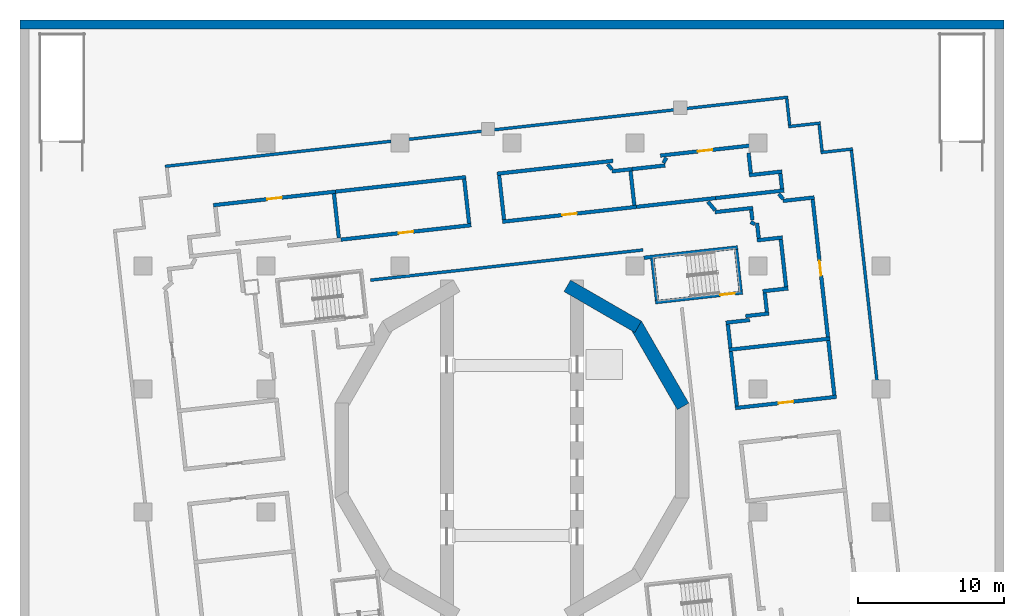
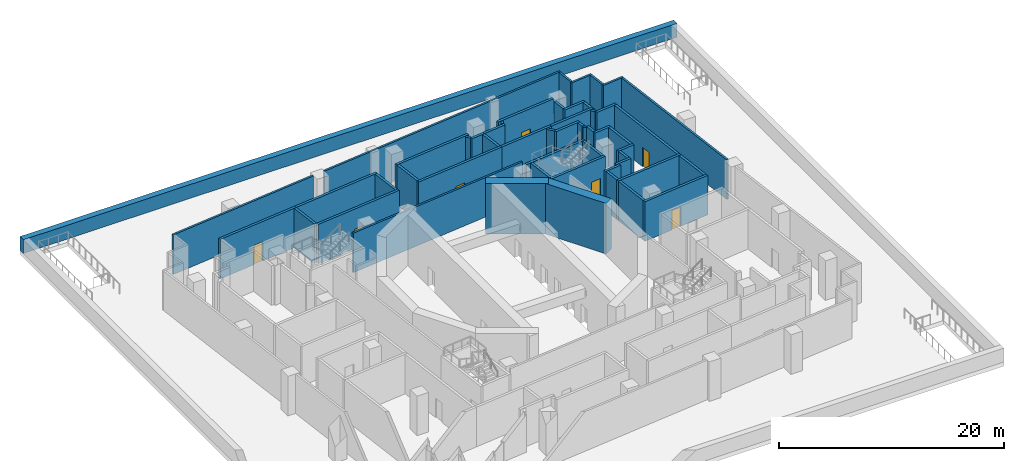
# One storey, part 4 of 12: 53 walls, 7 doors, 7 openings.
"""IFC4 building model written with IfcOpenShell, lengths in metres."""

from ifc_helpers import new_model, si_unit, direction, frame, frame_2d, origin, place, context, subcontext, project, spatial, rectangle, extrude, material, layer, layer_set, type_object, element, fill, save


model = new_model("IFC4")

# Units and contexts
model_context = context("Model", 3, precision=1e-05, world=origin(), true_north=direction((0.0, 1.0)))
body_context = subcontext(model_context, "Body", "Model", "MODEL_VIEW")
ifc_project = project(units=[si_unit("LENGTHUNIT", "METRE"), si_unit("AREAUNIT", "SQUARE_METRE"), si_unit("VOLUMEUNIT", "CUBIC_METRE"), si_unit("PLANEANGLEUNIT", "RADIAN"), si_unit("MASSUNIT", "GRAM", prefix="KILO")], contexts=[model_context])

# Site, building, storey
site_placement = place(None, origin())
site = spatial("IfcSite", under=ifc_project, at=site_placement, CompositionType="ELEMENT")
building_placement = place(site_placement, origin())
building = spatial("IfcBuilding", under=site, at=building_placement, Name="Cantera Rosa Tower", CompositionType="ELEMENT")
storey_placement = place(building_placement, frame((0.0, 0.0, 37.0)))
storey = spatial("IfcBuildingStorey", under=building, at=storey_placement, Name="L06", CompositionType="ELEMENT", Elevation=37.0)

# Walls
ifc_material_1 = material(Name="Masonry blockwork", Category="masonry")
ifc_layer_1 = layer(ifc_material_1, 0.199951171875)
ifc_layer_set_1 = layer_set([ifc_layer_1], Name="Blockwork partition 200")
wall_type_1 = type_object("IfcWallType", Name="Blockwork partition 200", PredefinedType="PARTITIONING", material=ifc_layer_set_1)
wall_1_placement = place(storey_placement, frame((-9.66552734375, 11.631103515625, 0.0), z_axis=(0.0, 0.0, 1.0), x_axis=(0.993896292658, 0.110318445605, 0.0)))
element("IfcWall", 1, at=wall_1_placement, inside=storey, type_object=wall_type_1, Name="Partition L06-7", PredefinedType="PARTITIONING", context=body_context, shape_type="SweptSolid", body=[
    extrude(rectangle(XDim=18.72021484375, YDim=0.199951171875, at=frame_2d((9.360107421875, 0.0))), origin(), (0.0, 0.0, 1.0), 4.300048828125),
])
wall_2_placement = place(storey_placement, frame((-23.685302734375, 19.40576171875, 0.0), z_axis=(0.0, 0.0, 1.0), x_axis=(0.993897928533, 0.110303706454, 0.0)))
element("IfcWall", 2, at=wall_2_placement, inside=storey, type_object=wall_type_1, Name="Partition L06-112", PredefinedType="PARTITIONING", context=body_context, shape_type="SweptSolid", body=[
    extrude(rectangle(XDim=15.513427734375, YDim=0.199951171875, at=frame_2d((7.7568359375, 0.0))), origin(), (0.0, 0.0, 1.0), 4.300048828125),
])
wall_3_placement = place(storey_placement, frame((-7.073974609375, 21.249267578125, 0.0), z_axis=(0.0, 0.0, 1.0), x_axis=(0.993896966833, 0.110312371567, 0.0)))
element("IfcWall", 3, at=wall_3_placement, inside=storey, type_object=wall_type_1, Name="Partition L06-113", PredefinedType="PARTITIONING", context=body_context, shape_type="SweptSolid", body=[
    extrude(rectangle(XDim=26.086669921875, YDim=0.199951171875, at=frame_2d((13.04345703125, 0.0))), origin(), (0.0, 0.0, 1.0), 4.300048828125),
])
wall_4_placement = place(storey_placement, frame((18.9638671875, 22.2275390625, 0.0), z_axis=(0.0, 0.0, 1.0), x_axis=(-0.110401753874, 0.993887042245, 0.0)))
element("IfcWall", 4, at=wall_4_placement, inside=storey, type_object=wall_type_1, Name="Partition L06-115", PredefinedType="PARTITIONING", context=body_context, shape_type="SweptSolid", body=[
    extrude(rectangle(XDim=1.800048828125, YDim=0.199951171875, at=frame_2d((0.89990234375, 0.0))), origin(), (0.0, 0.0, 1.0), 4.300048828125),
])
wall_5_placement = place(storey_placement, frame((18.87548828125, 22.1171875, 0.0), z_axis=(0.0, 0.0, 1.0), x_axis=(0.993897260817, 0.110309722784, 0.0)))
element("IfcWall", 5, at=wall_5_placement, inside=storey, type_object=wall_type_1, Name="Partition L06-117", PredefinedType="PARTITIONING", context=body_context, shape_type="SweptSolid", body=[
    extrude(rectangle(XDim=2.199951171875, YDim=0.199951171875, at=frame_2d((1.10009765625, 0.0))), origin(), (0.0, 0.0, 1.0), 4.300048828125),
])
wall_6_placement = place(storey_placement, frame((21.172119140625, 20.46044921875, 0.0), z_axis=(0.0, 0.0, 1.0), x_axis=(-0.110267775292, 0.993901915549, 0.0)))
element("IfcWall", 6, at=wall_6_placement, inside=storey, type_object=wall_type_1, Name="Partition L06-119", PredefinedType="PARTITIONING", context=body_context, shape_type="SweptSolid", body=[
    extrude(rectangle(XDim=1.800048828125, YDim=0.199951171875, at=frame_2d((0.89990234375, 0.0))), origin(), (0.0, 0.0, 1.0), 4.300048828125),
])
wall_7_placement = place(storey_placement, frame((21.083740234375, 20.35009765625, 0.0), z_axis=(0.0, 0.0, 1.0), x_axis=(0.99389861097, 0.11029755714, 0.0)))
element("IfcWall", 7, at=wall_7_placement, inside=storey, type_object=wall_type_1, Name="Partition L06-121", PredefinedType="PARTITIONING", context=body_context, shape_type="SweptSolid", body=[
    extrude(rectangle(XDim=2.2001953125, YDim=0.199951171875, at=frame_2d((1.10009765625, 0.0))), origin(), (0.0, 0.0, 1.0), 4.300048828125),
])
wall_8_placement = place(storey_placement, frame((24.925537109375, 4.773193359375, 0.0), z_axis=(0.0, 0.0, 1.0), x_axis=(-0.110317938061, 0.993896348993, 0.0)))
element("IfcWall", 8, at=wall_8_placement, inside=storey, type_object=wall_type_1, Name="Partition L06-123", PredefinedType="PARTITIONING", context=body_context, shape_type="SweptSolid", body=[
    extrude(rectangle(XDim=15.8056640625, YDim=0.199951171875, at=frame_2d((7.90283203125, 0.0))), origin(), (0.0, 0.0, 1.0), 4.300048828125),
])

# Wall, opening, door
ifc_material_2 = material(Name="Masonry blockwork", Category="masonry")
ifc_layer_2 = layer(ifc_material_2, 0.25)
ifc_layer_set_2 = layer_set([ifc_layer_2], Name="Fire-rated wall 250")
wall_type_2 = type_object("IfcWallType", Name="Fire-rated wall 250", PredefinedType="PARTITIONING", material=ifc_layer_set_2)
wall_9_placement = place(storey_placement, frame((-11.684814453125, 14.39892578125, 0.0), z_axis=(0.0, 0.0, 1.0), x_axis=(0.993897033744, 0.110311768703, 0.0)))
wall_9 = element("IfcWall", 9, at=wall_9_placement, inside=storey, type_object=wall_type_2, Name="Fire wall L06-13", PredefinedType="PARTITIONING", context=body_context, shape_type="SweptSolid", body=[
    extrude(rectangle(XDim=8.9501953125, YDim=0.25, at=frame_2d((4.47509765625, 0.0))), origin(), (0.0, 0.0, 1.0), 4.300048828125),
])
opening_1_placement = place(wall_9_placement, frame((3.97509765625, 0.0, 0.0)))
opening_1 = element("IfcOpeningElement", 10, at=opening_1_placement, cuts=wall_9, Name="Opening L06-002", PredefinedType="OPENING", context=body_context, shape_type="SweptSolid", body=[
    extrude(rectangle(XDim=1.0, YDim=2.10009765625, at=frame_2d((0.5, 1.050048828125))), frame((0.0, 0.135009765625, 0.0), z_axis=(0.0, -1.0, 0.0), x_axis=(1.0, 0.0, 0.0)), (0.0, 0.0, 1.0), 0.27001953125),
])
ifc_material_3 = material(Name="Steel S355J2 (EN 10025-2)", Category="steel")
door_type_1 = type_object("IfcDoorType", Name="Fire door 1000x2100", OperationType="NOTDEFINED", PredefinedType="DOOR", material=ifc_material_3)
door_1_placement = place(opening_1_placement, origin())
door_1 = element("IfcDoor", 11, at=door_1_placement, inside=storey, type_object=door_type_1, Name="Door L06-002", OverallHeight=2.10009765625, OverallWidth=1.0, PredefinedType="DOOR", context=body_context, shape_type="SweptSolid", body=[
    extrude(rectangle(XDim=1.0, YDim=2.10009765625, at=frame_2d((0.5, 1.050048828125))), frame((0.0, 0.02490234375, 0.0), z_axis=(0.0, -1.0, 0.0), x_axis=(1.0, 0.0, 0.0)), (0.0, 0.0, 1.0), 0.050048828125),
])
fill(opening_1, door_1)

wall_10_placement = place(storey_placement, frame((-0.65234375, 15.623291015625, 0.0), z_axis=(0.0, 0.0, 1.0), x_axis=(0.993896672807, 0.110315020662, 0.0)))
wall_10 = element("IfcWall", 12, at=wall_10_placement, inside=storey, type_object=wall_type_2, Name="Fire wall L06-14", PredefinedType="PARTITIONING", context=body_context, shape_type="SweptSolid", body=[
    extrude(rectangle(XDim=9.199951171875, YDim=0.25, at=frame_2d((4.60009765625, 0.0))), origin(), (0.0, 0.0, 1.0), 4.300048828125),
])
opening_2_placement = place(wall_10_placement, frame((4.10009765625, 0.0, 0.0)))
opening_2 = element("IfcOpeningElement", 13, at=opening_2_placement, cuts=wall_10, Name="Opening L06-003", PredefinedType="OPENING", context=body_context, shape_type="SweptSolid", body=[
    extrude(rectangle(XDim=1.0, YDim=2.10009765625, at=frame_2d((0.5, 1.050048828125))), frame((0.0, 0.135009765625, 0.0), z_axis=(0.0, -1.0, 0.0), x_axis=(1.0, 0.0, 0.0)), (0.0, 0.0, 1.0), 0.27001953125),
])
door_2_placement = place(opening_2_placement, origin())
door_2 = element("IfcDoor", 14, at=door_2_placement, inside=storey, type_object=door_type_1, Name="Door L06-003", OverallHeight=2.10009765625, OverallWidth=1.0, PredefinedType="DOOR", context=body_context, shape_type="SweptSolid", body=[
    extrude(rectangle(XDim=1.0, YDim=2.10009765625, at=frame_2d((0.5, 1.050048828125))), frame((0.0, 0.02490234375, 0.0), z_axis=(0.0, -1.0, 0.0), x_axis=(1.0, 0.0, 0.0)), (0.0, 0.0, 1.0), 0.050048828125),
])
fill(opening_2, door_2)

# Walls
wall_11_placement = place(storey_placement, frame((8.491455078125, 16.63818359375, 0.0), z_axis=(0.0, 0.0, 1.0), x_axis=(0.993894655727, 0.110333192277, 0.0)))
element("IfcWall", 15, at=wall_11_placement, inside=storey, type_object=wall_type_2, Name="Fire wall L06-15", PredefinedType="PARTITIONING", context=body_context, shape_type="SweptSolid", body=[
    extrude(rectangle(XDim=5.449951171875, YDim=0.25, at=frame_2d((2.72509765625, 0.0))), origin(), (0.0, 0.0, 1.0), 4.300048828125),
])
wall_12_placement = place(storey_placement, frame((13.908203125, 17.239501953125, 0.0), z_axis=(0.0, 0.0, 1.0), x_axis=(0.99390082634, 0.11027759247, 0.0)))
element("IfcWall", 16, at=wall_12_placement, inside=storey, type_object=wall_type_2, Name="Fire wall L06-16", PredefinedType="PARTITIONING", context=body_context, shape_type="SweptSolid", body=[
    extrude(rectangle(XDim=4.699951171875, YDim=0.25, at=frame_2d((2.35009765625, 0.0))), origin(), (0.0, 0.0, 1.0), 4.300048828125),
])
wall_13_placement = place(storey_placement, frame((16.19970703125, 18.8017578125, 0.0), z_axis=(0.0, 0.0, 1.0), x_axis=(0.99389299368, 0.110348163163, 0.0)))
element("IfcWall", 17, at=wall_13_placement, inside=storey, type_object=wall_type_2, Name="Fire wall L06-22", PredefinedType="PARTITIONING", context=body_context, shape_type="SweptSolid", body=[
    extrude(rectangle(XDim=2.25, YDim=0.25, at=frame_2d((1.125, 0.0))), origin(), (0.0, 0.0, 1.0), 4.300048828125),
])

# Wall, opening, door
wall_14_placement = place(storey_placement, frame((-20.3974609375, 16.752197265625, 0.0), z_axis=(0.0, 0.0, 1.0), x_axis=(0.993898612038, 0.110297547524, 0.0)))
wall_14 = element("IfcWall", 18, at=wall_14_placement, inside=storey, type_object=wall_type_2, Name="Fire wall L06-25", PredefinedType="PARTITIONING", context=body_context, shape_type="SweptSolid", body=[
    extrude(rectangle(XDim=8.400146484375, YDim=0.25, at=frame_2d((4.2001953125, 0.0))), origin(), (0.0, 0.0, 1.0), 4.300048828125),
])
opening_3_placement = place(wall_14_placement, frame((3.699951171875, 0.0, 0.0)))
opening_3 = element("IfcOpeningElement", 19, at=opening_3_placement, cuts=wall_14, Name="Opening L06-001", PredefinedType="OPENING", context=body_context, shape_type="SweptSolid", body=[
    extrude(rectangle(XDim=1.0, YDim=2.10009765625, at=frame_2d((0.5, 1.050048828125))), frame((0.0, 0.135009765625, 0.0), z_axis=(0.0, -1.0, 0.0), x_axis=(1.0, 0.0, 0.0)), (0.0, 0.0, 1.0), 0.27001953125),
])
door_3_placement = place(opening_3_placement, origin())
door_3 = element("IfcDoor", 20, at=door_3_placement, inside=storey, type_object=door_type_1, Name="Door L06-001", OverallHeight=2.10009765625, OverallWidth=1.0, PredefinedType="DOOR", context=body_context, shape_type="SweptSolid", body=[
    extrude(rectangle(XDim=1.0, YDim=2.10009765625, at=frame_2d((0.5, 1.050048828125))), frame((0.0, 0.02490234375, 0.0), z_axis=(0.0, -1.0, 0.0), x_axis=(1.0, 0.0, 0.0)), (0.0, 0.0, 1.0), 0.050048828125),
])
fill(opening_3, door_3)

# Walls
wall_15_placement = place(storey_placement, frame((-12.048583984375, 17.6787109375, 0.0), z_axis=(0.0, 0.0, 1.0), x_axis=(0.993896701795, 0.110314759491, 0.0)))
element("IfcWall", 21, at=wall_15_placement, inside=storey, type_object=wall_type_2, Name="Fire wall L06-26", PredefinedType="PARTITIONING", context=body_context, shape_type="SweptSolid", body=[
    extrude(rectangle(XDim=8.949951171875, YDim=0.25, at=frame_2d((4.47509765625, 0.0))), origin(), (0.0, 0.0, 1.0), 4.300048828125),
])
wall_16_placement = place(storey_placement, frame((-1.0166015625, 18.9033203125, 0.0), z_axis=(0.0, 0.0, 1.0), x_axis=(0.993897183523, 0.110310419203, 0.0)))
element("IfcWall", 22, at=wall_16_placement, inside=storey, type_object=wall_type_2, Name="Fire wall L06-27", PredefinedType="PARTITIONING", context=body_context, shape_type="SweptSolid", body=[
    extrude(rectangle(XDim=7.96533203125, YDim=0.25, at=frame_2d((3.982666015625, 0.0))), origin(), (0.0, 0.0, 1.0), 4.300048828125),
])

# Wall, opening, door
wall_17_placement = place(storey_placement, frame((10.13037109375, 20.140380859375, 0.0), z_axis=(0.0, 0.0, 1.0), x_axis=(0.993896854756, 0.110313381352, 0.0)))
wall_17 = element("IfcWall", 23, at=wall_17_placement, inside=storey, type_object=wall_type_2, Name="Fire wall L06-28", PredefinedType="PARTITIONING", context=body_context, shape_type="SweptSolid", body=[
    extrude(rectangle(XDim=6.123779296875, YDim=0.25, at=frame_2d((3.06201171875, 0.0))), origin(), (0.0, 0.0, 1.0), 4.300048828125),
])
opening_4_placement = place(wall_17_placement, frame((2.56201171875, 0.0, 0.0)))
opening_4 = element("IfcOpeningElement", 24, at=opening_4_placement, cuts=wall_17, Name="Opening L06-004", PredefinedType="OPENING", context=body_context, shape_type="SweptSolid", body=[
    extrude(rectangle(XDim=1.0, YDim=2.10009765625, at=frame_2d((0.5, 1.050048828125))), frame((0.0, 0.135009765625, 0.0), z_axis=(0.0, -1.0, 0.0), x_axis=(1.0, 0.0, 0.0)), (0.0, 0.0, 1.0), 0.27001953125),
])
door_4_placement = place(opening_4_placement, origin())
door_4 = element("IfcDoor", 25, at=door_4_placement, inside=storey, type_object=door_type_1, Name="Door L06-004", OverallHeight=2.10009765625, OverallWidth=1.0, PredefinedType="DOOR", context=body_context, shape_type="SweptSolid", body=[
    extrude(rectangle(XDim=1.0, YDim=2.10009765625, at=frame_2d((0.5, 1.050048828125))), frame((0.0, 0.02490234375, 0.0), z_axis=(0.0, -1.0, 0.0), x_axis=(1.0, 0.0, 0.0)), (0.0, 0.0, 1.0), 0.050048828125),
])
fill(opening_4, door_4)

# Walls
wall_18_placement = place(storey_placement, frame((-11.82275390625, 14.509521484375, 0.0), z_axis=(0.0, 0.0, 1.0), x_axis=(-0.110308521992, 0.993897394089, 0.0)))
element("IfcWall", 26, at=wall_18_placement, inside=storey, type_object=wall_type_2, Name="Fire wall L06-30", PredefinedType="PARTITIONING", context=body_context, shape_type="SweptSolid", body=[
    extrude(rectangle(XDim=3.0498046875, YDim=0.25, at=frame_2d((1.52490234375, 0.0))), origin(), (0.0, 0.0, 1.0), 4.300048828125),
])
wall_19_placement = place(storey_placement, frame((-2.92724609375, 15.49658203125, 0.0), z_axis=(0.0, 0.0, 1.0), x_axis=(-0.110378814906, 0.993889590055, 0.0)))
element("IfcWall", 27, at=wall_19_placement, inside=storey, type_object=wall_type_2, Name="Fire wall L06-32", PredefinedType="PARTITIONING", context=body_context, shape_type="SweptSolid", body=[
    extrude(rectangle(XDim=3.050048828125, YDim=0.25, at=frame_2d((1.52490234375, 0.0))), origin(), (0.0, 0.0, 1.0), 4.300048828125),
])
wall_20_placement = place(storey_placement, frame((6.83984375, 19.19189453125, 0.0), z_axis=(0.0, 0.0, 1.0), x_axis=(-0.647179402506, 0.762337734192, 0.0)))
element("IfcWall", 28, at=wall_20_placement, inside=storey, type_object=wall_type_2, Name="Fire wall L06-33", PredefinedType="PARTITIONING", context=body_context, shape_type="SweptSolid", body=[
    extrude(rectangle(XDim=0.468505859375, YDim=0.25, at=frame_2d((0.234375, 0.0))), origin(), (0.0, 0.0, 1.0), 4.300048828125),
])
wall_21_placement = place(storey_placement, frame((6.828857421875, 19.06494140625, 0.0), z_axis=(0.0, 0.0, 1.0), x_axis=(0.993909510306, 0.110199298198, 0.0)))
element("IfcWall", 29, at=wall_21_placement, inside=storey, type_object=wall_type_2, Name="Fire wall L06-34", PredefinedType="PARTITIONING", context=body_context, shape_type="SweptSolid", body=[
    extrude(rectangle(XDim=1.384765625, YDim=0.25, at=frame_2d((0.6923828125, 0.0))), origin(), (0.0, 0.0, 1.0), 4.300048828125),
])
wall_22_placement = place(storey_placement, frame((8.205078125, 19.217529296875, 0.0), z_axis=(0.0, 0.0, 1.0), x_axis=(0.99389161804, 0.110360552686, 0.0)))
element("IfcWall", 30, at=wall_22_placement, inside=storey, type_object=wall_type_2, Name="Fire wall L06-35", PredefinedType="PARTITIONING", context=body_context, shape_type="SweptSolid", body=[
    extrude(rectangle(XDim=2.265380859375, YDim=0.25, at=frame_2d((1.1328125, 0.0))), origin(), (0.0, 0.0, 1.0), 4.300048828125),
])
wall_23_placement = place(storey_placement, frame((8.353515625, 16.748779296875, 0.0), z_axis=(0.0, 0.0, 1.0), x_axis=(-0.110351542432, 0.993892618487, 0.0)))
element("IfcWall", 31, at=wall_23_placement, inside=storey, type_object=wall_type_2, Name="Fire wall L06-37", PredefinedType="PARTITIONING", context=body_context, shape_type="SweptSolid", body=[
    extrude(rectangle(XDim=2.34521484375, YDim=0.25, at=frame_2d((1.172607421875, 0.0))), origin(), (0.0, 0.0, 1.0), 4.300048828125),
])
wall_24_placement = place(storey_placement, frame((-0.5419921875, 15.761474609375, 0.0), z_axis=(0.0, 0.0, 1.0), x_axis=(-0.110308521992, 0.993897394089, 0.0)))
element("IfcWall", 32, at=wall_24_placement, inside=storey, type_object=wall_type_2, Name="Fire wall L06-39", PredefinedType="PARTITIONING", context=body_context, shape_type="SweptSolid", body=[
    extrude(rectangle(XDim=3.0498046875, YDim=0.25, at=frame_2d((1.52490234375, 0.0))), origin(), (0.0, 0.0, 1.0), 4.300048828125),
])
wall_25_placement = place(storey_placement, frame((10.346435546875, 19.631103515625, 0.0), z_axis=(0.0, 0.0, 1.0), x_axis=(0.464341920083, 0.885656017455, 0.0)))
element("IfcWall", 33, at=wall_25_placement, inside=storey, type_object=wall_type_2, Name="Fire wall L06-40", PredefinedType="PARTITIONING", context=body_context, shape_type="SweptSolid", body=[
    extrude(rectangle(XDim=0.408447265625, YDim=0.25, at=frame_2d((0.2041015625, 0.0))), origin(), (0.0, 0.0, 1.0), 4.300048828125),
])
wall_26_placement = place(storey_placement, frame((16.310302734375, 18.939697265625, 0.0), z_axis=(0.0, 0.0, 1.0), x_axis=(-0.110354623568, 0.993892276385, 0.0)))
element("IfcWall", 34, at=wall_26_placement, inside=storey, type_object=wall_type_2, Name="Fire wall L06-42", PredefinedType="PARTITIONING", context=body_context, shape_type="SweptSolid", body=[
    extrude(rectangle(XDim=1.393798828125, YDim=0.25, at=frame_2d((0.69677734375, 0.0))), origin(), (0.0, 0.0, 1.0), 4.300048828125),
])
wall_27_placement = place(storey_placement, frame((18.518798828125, 17.172607421875, 0.0), z_axis=(0.0, 0.0, 1.0), x_axis=(-0.647571880012, 0.762004370209, 0.0)))
element("IfcWall", 35, at=wall_27_placement, inside=storey, type_object=wall_type_2, Name="Fire wall L06-45", PredefinedType="PARTITIONING", context=body_context, shape_type="SweptSolid", body=[
    extrude(rectangle(XDim=0.462890625, YDim=0.25, at=frame_2d((0.2314453125, 0.0))), origin(), (0.0, 0.0, 1.0), 4.300048828125),
])
wall_28_placement = place(storey_placement, frame((18.44140625, 17.868408203125, 0.0), z_axis=(0.0, 0.0, 1.0), x_axis=(-0.110201865026, 0.993909225707, 0.0)))
element("IfcWall", 36, at=wall_28_placement, inside=storey, type_object=wall_type_2, Name="Fire wall L06-46", PredefinedType="PARTITIONING", context=body_context, shape_type="SweptSolid", body=[
    extrude(rectangle(XDim=1.050048828125, YDim=0.25, at=frame_2d((0.52490234375, 0.0))), origin(), (0.0, 0.0, 1.0), 4.300048828125),
])
wall_29_placement = place(storey_placement, frame((15.358642578125, 3.037841796875, 0.0), z_axis=(0.0, 0.0, 1.0), x_axis=(-0.110288610559, 0.993899603773, 0.0)))
element("IfcWall", 37, at=wall_29_placement, inside=storey, type_object=wall_type_2, Name="Fire wall L06-56", PredefinedType="PARTITIONING", context=body_context, shape_type="SweptSolid", body=[
    extrude(rectangle(XDim=3.75, YDim=0.25, at=frame_2d((1.875, 0.0))), origin(), (0.0, 0.0, 1.0), 4.300048828125),
])
wall_30_placement = place(storey_placement, frame((14.91748046875, 7.013427734375, 0.0), z_axis=(0.0, 0.0, 1.0), x_axis=(-0.110431526075, 0.993883734674, 0.0)))
element("IfcWall", 38, at=wall_30_placement, inside=storey, type_object=wall_type_2, Name="Fire wall L06-57", PredefinedType="PARTITIONING", context=body_context, shape_type="SweptSolid", body=[
    extrude(rectangle(XDim=1.611572265625, YDim=0.25, at=frame_2d((0.8056640625, 0.0))), origin(), (0.0, 0.0, 1.0), 4.300048828125),
])
wall_31_placement = place(storey_placement, frame((13.875, 16.40576171875, 0.0), z_axis=(0.0, 0.0, 1.0), x_axis=(-0.647444419419, 0.762112671305, 0.0)))
element("IfcWall", 39, at=wall_31_placement, inside=storey, type_object=wall_type_2, Name="Fire wall L06-58", PredefinedType="PARTITIONING", context=body_context, shape_type="SweptSolid", body=[
    extrude(rectangle(XDim=0.764404296875, YDim=0.25, at=frame_2d((0.38232421875, 0.0))), origin(), (0.0, 0.0, 1.0), 4.300048828125),
])
wall_32_placement = place(storey_placement, frame((22.017578125, 3.77685546875, 0.0), z_axis=(0.0, 0.0, 1.0), x_axis=(-0.110288610559, 0.993899603773, 0.0)))
element("IfcWall", 40, at=wall_32_placement, inside=storey, type_object=wall_type_2, Name="Fire wall L06-63", PredefinedType="PARTITIONING", context=body_context, shape_type="SweptSolid", body=[
    extrude(rectangle(XDim=3.75, YDim=0.25, at=frame_2d((1.875, 0.0))), origin(), (0.0, 0.0, 1.0), 4.300048828125),
])

# Wall, opening, door
wall_33_placement = place(storey_placement, frame((21.576416015625, 7.75244140625, 0.0), z_axis=(0.0, 0.0, 1.0), x_axis=(-0.110315268011, 0.993896645353, 0.0)))
wall_33 = element("IfcWall", 41, at=wall_33_placement, inside=storey, type_object=wall_type_2, Name="Fire wall L06-64", PredefinedType="PARTITIONING", context=body_context, shape_type="SweptSolid", body=[
    extrude(rectangle(XDim=9.449951171875, YDim=0.25, at=frame_2d((4.72509765625, 0.0))), origin(), (0.0, 0.0, 1.0), 4.300048828125),
])
opening_5_placement = place(wall_33_placement, frame((4.22509765625, 0.0, 0.0)))
opening_5 = element("IfcOpeningElement", 42, at=opening_5_placement, cuts=wall_33, Name="Opening L06-008", PredefinedType="OPENING", context=body_context, shape_type="SweptSolid", body=[
    extrude(rectangle(XDim=1.0, YDim=2.10009765625, at=frame_2d((0.5, 1.050048828125))), frame((0.0, 0.135009765625, 0.0), z_axis=(0.0, -1.0, 0.0), x_axis=(1.0, 0.0, 0.0)), (0.0, 0.0, 1.0), 0.27001953125),
])
door_5_placement = place(opening_5_placement, origin())
door_5 = element("IfcDoor", 43, at=door_5_placement, inside=storey, type_object=door_type_1, Name="Door L06-008", OverallHeight=2.10009765625, OverallWidth=1.0, PredefinedType="DOOR", context=body_context, shape_type="SweptSolid", body=[
    extrude(rectangle(XDim=1.0, YDim=2.10009765625, at=frame_2d((0.5, 1.050048828125))), frame((0.0, 0.02490234375, 0.0), z_axis=(0.0, -1.0, 0.0), x_axis=(1.0, 0.0, 0.0)), (0.0, 0.0, 1.0), 0.050048828125),
])
fill(opening_5, door_5)

# Wall
wall_34_placement = place(storey_placement, frame((14.806884765625, 6.87548828125, 0.0), z_axis=(0.0, 0.0, 1.0), x_axis=(0.993898291102, 0.110300439459, 0.0)))
element("IfcWall", 44, at=wall_34_placement, inside=storey, type_object=wall_type_2, Name="Fire wall L06-72", PredefinedType="PARTITIONING", context=body_context, shape_type="SweptSolid", body=[
    extrude(rectangle(XDim=6.9501953125, YDim=0.25, at=frame_2d((3.47509765625, 0.0))), origin(), (0.0, 0.0, 1.0), 4.300048828125),
])

# Wall, opening, door
wall_35_placement = place(storey_placement, frame((15.248291015625, 2.89990234375, 0.0), z_axis=(0.0, 0.0, 1.0), x_axis=(0.993897863711, 0.110304290533, 0.0)))
wall_35 = element("IfcWall", 45, at=wall_35_placement, inside=storey, type_object=wall_type_2, Name="Fire wall L06-74", PredefinedType="PARTITIONING", context=body_context, shape_type="SweptSolid", body=[
    extrude(rectangle(XDim=6.949951171875, YDim=0.25, at=frame_2d((3.47509765625, 0.0))), origin(), (0.0, 0.0, 1.0), 4.300048828125),
])
opening_6_placement = place(wall_35_placement, frame((2.97509765625, 0.0, 0.0)))
opening_6 = element("IfcOpeningElement", 46, at=opening_6_placement, cuts=wall_35, Name="Opening L06-007", PredefinedType="OPENING", context=body_context, shape_type="SweptSolid", body=[
    extrude(rectangle(XDim=1.0, YDim=2.10009765625, at=frame_2d((0.5, 1.050048828125))), frame((0.0, 0.135009765625, 0.0), z_axis=(0.0, -1.0, 0.0), x_axis=(1.0, 0.0, 0.0)), (0.0, 0.0, 1.0), 0.27001953125),
])
door_6_placement = place(opening_6_placement, origin())
door_6 = element("IfcDoor", 47, at=door_6_placement, inside=storey, type_object=door_type_1, Name="Door L06-007", OverallHeight=2.10009765625, OverallWidth=1.0, PredefinedType="DOOR", context=body_context, shape_type="SweptSolid", body=[
    extrude(rectangle(XDim=1.0, YDim=2.10009765625, at=frame_2d((0.5, 1.050048828125))), frame((0.0, 0.02490234375, 0.0), z_axis=(0.0, -1.0, 0.0), x_axis=(1.0, 0.0, 0.0)), (0.0, 0.0, 1.0), 0.050048828125),
])
fill(opening_6, door_6)

# Walls
wall_36_placement = place(storey_placement, frame((17.408935546875, 9.465087890625, 0.0), z_axis=(0.0, 0.0, 1.0), x_axis=(-0.110308611091, 0.9938973842, 0.0)))
element("IfcWall", 48, at=wall_36_placement, inside=storey, type_object=wall_type_2, Name="Fire wall L06-75", PredefinedType="PARTITIONING", context=body_context, shape_type="SweptSolid", body=[
    extrude(rectangle(XDim=1.30810546875, YDim=0.25, at=frame_2d((0.654052734375, 0.0))), origin(), (0.0, 0.0, 1.0), 4.300048828125),
])
wall_37_placement = place(storey_placement, frame((16.85107421875, 14.4921875, 0.0), z_axis=(0.0, 0.0, 1.0), x_axis=(-0.110354378825, 0.993892303559, 0.0)))
element("IfcWall", 49, at=wall_37_placement, inside=storey, type_object=wall_type_2, Name="Fire wall L06-76", PredefinedType="PARTITIONING", context=body_context, shape_type="SweptSolid", body=[
    extrude(rectangle(XDim=1.0419921875, YDim=0.25, at=frame_2d((0.52099609375, 0.0))), origin(), (0.0, 0.0, 1.0), 4.300048828125),
])
wall_38_placement = place(storey_placement, frame((17.126708984375, 10.87548828125, 0.0), z_axis=(0.0, 0.0, 1.0), x_axis=(0.993888865098, 0.110385342483, 0.0)))
element("IfcWall", 50, at=wall_38_placement, inside=storey, type_object=wall_type_2, Name="Fire wall L06-77", PredefinedType="PARTITIONING", context=body_context, shape_type="SweptSolid", body=[
    extrude(rectangle(XDim=1.74072265625, YDim=0.25, at=frame_2d((0.870361328125, 0.0))), origin(), (0.0, 0.0, 1.0), 4.300048828125),
])
wall_39_placement = place(storey_placement, frame((18.718505859375, 11.177978515625, 0.0), z_axis=(0.0, 0.0, 1.0), x_axis=(-0.110274873847, 0.993901127979, 0.0)))
element("IfcWall", 51, at=wall_39_placement, inside=storey, type_object=wall_type_2, Name="Fire wall L06-78", PredefinedType="PARTITIONING", context=body_context, shape_type="SweptSolid", body=[
    extrude(rectangle(XDim=3.25, YDim=0.25, at=frame_2d((1.625, 0.0))), origin(), (0.0, 0.0, 1.0), 4.300048828125),
])
wall_40_placement = place(storey_placement, frame((16.740478515625, 14.354248046875, 0.0), z_axis=(0.0, 0.0, 1.0), x_axis=(0.99390424381, 0.110246787417, 0.0)))
element("IfcWall", 52, at=wall_40_placement, inside=storey, type_object=wall_type_2, Name="Fire wall L06-79", PredefinedType="PARTITIONING", context=body_context, shape_type="SweptSolid", body=[
    extrude(rectangle(XDim=1.740478515625, YDim=0.25, at=frame_2d((0.8701171875, 0.0))), origin(), (0.0, 0.0, 1.0), 4.300048828125),
])
wall_41_placement = place(storey_placement, frame((16.302978515625, 15.60546875, 0.0), z_axis=(0.0, 0.0, 1.0), x_axis=(0.885711947261, -0.46423522753, 0.0)))
element("IfcWall", 53, at=wall_41_placement, inside=storey, type_object=wall_type_2, Name="Fire wall L06-80", PredefinedType="PARTITIONING", context=body_context, shape_type="SweptSolid", body=[
    extrude(rectangle(XDim=0.31982421875, YDim=0.25, at=frame_2d((0.159912109375, 0.0))), origin(), (0.0, 0.0, 1.0), 4.300048828125),
])
wall_42_placement = place(storey_placement, frame((16.41357421875, 15.743408203125, 0.0), z_axis=(0.0, 0.0, 1.0), x_axis=(-0.11031473064, 0.993896704997, 0.0)))
element("IfcWall", 54, at=wall_42_placement, inside=storey, type_object=wall_type_2, Name="Fire wall L06-81", PredefinedType="PARTITIONING", context=body_context, shape_type="SweptSolid", body=[
    extrude(rectangle(XDim=0.688232421875, YDim=0.25, at=frame_2d((0.34423828125, 0.0))), origin(), (0.0, 0.0, 1.0), 4.300048828125),
])
wall_43_placement = place(storey_placement, frame((13.864013671875, 16.27880859375, 0.0), z_axis=(0.0, 0.0, 1.0), x_axis=(0.993904330938, 0.110246001939, 0.0)))
element("IfcWall", 55, at=wall_43_placement, inside=storey, type_object=wall_type_2, Name="Fire wall L06-82", PredefinedType="PARTITIONING", context=body_context, shape_type="SweptSolid", body=[
    extrude(rectangle(XDim=2.599853515625, YDim=0.25, at=frame_2d((1.2998046875, 0.0))), origin(), (0.0, 0.0, 1.0), 4.300048828125),
])
wall_44_placement = place(storey_placement, frame((18.507568359375, 17.045654296875, 0.0), z_axis=(0.0, 0.0, 1.0), x_axis=(0.993903105943, 0.110257045113, 0.0)))
element("IfcWall", 56, at=wall_44_placement, inside=storey, type_object=wall_type_2, Name="Fire wall L06-84", PredefinedType="PARTITIONING", context=body_context, shape_type="SweptSolid", body=[
    extrude(rectangle(XDim=2.150146484375, YDim=0.25, at=frame_2d((1.0751953125, 0.0))), origin(), (0.0, 0.0, 1.0), 4.300048828125),
])
wall_45_placement = place(storey_placement, frame((14.6015625, 8.725830078125, 0.0), z_axis=(0.0, 0.0, 1.0), x_axis=(0.993898190003, 0.110301350442, 0.0)))
element("IfcWall", 57, at=wall_45_placement, inside=storey, type_object=wall_type_2, Name="Fire wall L06-85", PredefinedType="PARTITIONING", context=body_context, shape_type="SweptSolid", body=[
    extrude(rectangle(XDim=1.646728515625, YDim=0.25, at=frame_2d((0.8232421875, 0.0))), origin(), (0.0, 0.0, 1.0), 4.300048828125),
])
wall_46_placement = place(storey_placement, frame((15.956787109375, 9.177978515625, 0.0), z_axis=(0.0, 0.0, 1.0), x_axis=(0.99389675276, 0.110314300314, 0.0)))
element("IfcWall", 58, at=wall_46_placement, inside=storey, type_object=wall_type_2, Name="Fire wall L06-86", PredefinedType="PARTITIONING", context=body_context, shape_type="SweptSolid", body=[
    extrude(rectangle(XDim=1.60009765625, YDim=0.25, at=frame_2d((0.800048828125, 0.0))), origin(), (0.0, 0.0, 1.0), 4.300048828125),
])
ifc_material_4 = material(Name="Concrete C70/85", Category="concrete")
ifc_layer_3 = layer(ifc_material_4, 0.89990234375)
ifc_layer_set_3 = layer_set([ifc_layer_3], Name="RC CORE WALL 900 C70/85")
wall_type_3 = type_object("IfcWallType", Name="RC CORE WALL 900 C70/85", PredefinedType="SHEAR", material=ifc_layer_set_3)
wall_47_placement = place(storey_placement, frame((3.77490234375, 11.242919921875, 0.0), z_axis=(0.0, 0.0, 1.0), x_axis=(0.866026961591, -0.49999730179, 0.0)))
element("IfcWall", 59, at=wall_47_placement, inside=storey, type_object=wall_type_3, Name="CW-E1 L06", PredefinedType="SHEAR", context=body_context, shape_type="SweptSolid", body=[
    extrude(rectangle(XDim=5.58740234375, YDim=0.89990234375, at=frame_2d((2.793701171875, 0.0))), origin(), (0.0, 0.0, 1.0), 5.5),
])
wall_48_placement = place(storey_placement, frame((8.44921875, 8.61376953125, 0.0), z_axis=(0.0, 0.0, 1.0), x_axis=(0.499990282633, -0.866031014036, 0.0)))
element("IfcWall", 60, at=wall_48_placement, inside=storey, type_object=wall_type_3, Name="CW-E2 L06", PredefinedType="SHEAR", context=body_context, shape_type="SweptSolid", body=[
    extrude(rectangle(XDim=6.470458984375, YDim=0.89990234375, at=frame_2d((3.2353515625, 0.0))), origin(), (0.0, 0.0, 1.0), 5.5),
])
ifc_material_5 = material(Name="Concrete C50/60", Category="concrete")
ifc_layer_4 = layer(ifc_material_5, 0.25)
ifc_layer_set_4 = layer_set([ifc_layer_4], Name="RC stair wall 250 C50/60")
wall_type_4 = type_object("IfcWallType", Name="RC stair wall 250", PredefinedType="SOLIDWALL", material=ifc_layer_set_4)
wall_49_placement = place(storey_placement, frame((15.30029296875, 13.7333984375, 0.0), z_axis=(0.0, 0.0, 1.0), x_axis=(0.110252878147, -0.99390356819, 0.0)))
element("IfcWall", 61, at=wall_49_placement, inside=storey, type_object=wall_type_4, Name="Stair wall ST-11 L06-1", PredefinedType="SOLIDWALL", context=body_context, shape_type="SweptSolid", body=[
    extrude(rectangle(XDim=2.849853515625, YDim=0.25, at=frame_2d((1.4248046875, 0.0))), origin(), (0.0, 0.0, 1.0), 4.300048828125),
])

# Wall, opening, door
wall_50_placement = place(storey_placement, frame((15.752685546875, 10.790283203125, 0.0), z_axis=(0.0, 0.0, 1.0), x_axis=(-0.993897125329, -0.110310943534, 0.0)))
wall_50 = element("IfcWall", 62, at=wall_50_placement, inside=storey, type_object=wall_type_4, Name="Stair wall ST-11 L06-2", PredefinedType="SOLIDWALL", context=body_context, shape_type="SweptSolid", body=[
    extrude(rectangle(XDim=6.0, YDim=0.25, at=frame_2d((3.0, 0.0))), origin(), (0.0, 0.0, 1.0), 4.300048828125),
])
opening_7_placement = place(wall_50_placement, frame((0.550048828125, 0.0, 0.0)))
opening_7 = element("IfcOpeningElement", 63, at=opening_7_placement, cuts=wall_50, Name="Opening L06-ST-11", PredefinedType="OPENING", context=body_context, shape_type="SweptSolid", body=[
    extrude(rectangle(XDim=1.0, YDim=2.10009765625, at=frame_2d((0.5, 1.050048828125))), frame((0.0, 0.135009765625, 0.0), z_axis=(0.0, -1.0, 0.0), x_axis=(1.0, 0.0, 0.0)), (0.0, 0.0, 1.0), 0.27001953125),
])
ifc_material_6 = material(Name="Steel S355J2 (EN 10025-2)", Category="steel")
door_type_2 = type_object("IfcDoorType", Name="Fire door 1000x2100 EI 120", OperationType="NOTDEFINED", PredefinedType="DOOR", material=ifc_material_6)
door_7_placement = place(opening_7_placement, origin())
door_7 = element("IfcDoor", 64, at=door_7_placement, inside=storey, type_object=door_type_2, Name="Door L06-ST-11", OverallHeight=2.10009765625, OverallWidth=1.0, PredefinedType="DOOR", context=body_context, shape_type="SweptSolid", body=[
    extrude(rectangle(XDim=1.0, YDim=2.10009765625, at=frame_2d((0.5, 1.050048828125))), frame((0.0, 0.02490234375, 0.0), z_axis=(0.0, -1.0, 0.0), x_axis=(1.0, 0.0, 0.0)), (0.0, 0.0, 1.0), 0.050048828125),
])
fill(opening_7, door_7)

# Walls
wall_51_placement = place(storey_placement, frame((9.899658203125, 10.2666015625, 0.0), z_axis=(0.0, 0.0, 1.0), x_axis=(-0.110252878147, 0.99390356819, 0.0)))
element("IfcWall", 65, at=wall_51_placement, inside=storey, type_object=wall_type_4, Name="Stair wall ST-11 L06-3", PredefinedType="SOLIDWALL", context=body_context, shape_type="SweptSolid", body=[
    extrude(rectangle(XDim=2.849853515625, YDim=0.25, at=frame_2d((1.4248046875, 0.0))), origin(), (0.0, 0.0, 1.0), 4.300048828125),
])
wall_52_placement = place(storey_placement, frame((9.003662109375, 13.160400390625, 0.0), z_axis=(0.0, 0.0, 1.0), x_axis=(0.993895737244, 0.1103234494, 0.0)))
element("IfcWall", 66, at=wall_52_placement, inside=storey, type_object=wall_type_4, Name="Stair wall ST-11 L06-4", PredefinedType="SOLIDWALL", context=body_context, shape_type="SweptSolid", body=[
    extrude(rectangle(XDim=6.4462890625, YDim=0.25, at=frame_2d((3.22314453125, 0.0))), origin(), (0.0, 0.0, 1.0), 4.300048828125),
])
ifc_material_7 = material(Name="Concrete C40/50 with limestone facing", Category="masonry")
ifc_layer_5 = layer(ifc_material_7, 0.60009765625)
ifc_layer_set_5 = layer_set([ifc_layer_5], Name="Stone cornice parapet 600")
wall_type_5 = type_object("IfcWallType", Name="Stone cornice parapet 600", PredefinedType="PARAPET", material=ifc_layer_set_5)
wall_53_placement = place(storey_placement, frame((-33.60009765625, 29.10009765625, 0.0), z_axis=(0.0, 0.0, 1.0), x_axis=(1.0, 0.0, 0.0)))
element("IfcWall", 67, at=wall_53_placement, inside=storey, type_object=wall_type_5, Name="Parapet N", PredefinedType="PARAPET", context=body_context, shape_type="SweptSolid", body=[
    extrude(rectangle(XDim=67.2001953125, YDim=0.60009765625, at=frame_2d((33.60009765625, 0.0))), origin(), (0.0, 0.0, 1.0), 1.5),
])

save(model, "model.ifc")
